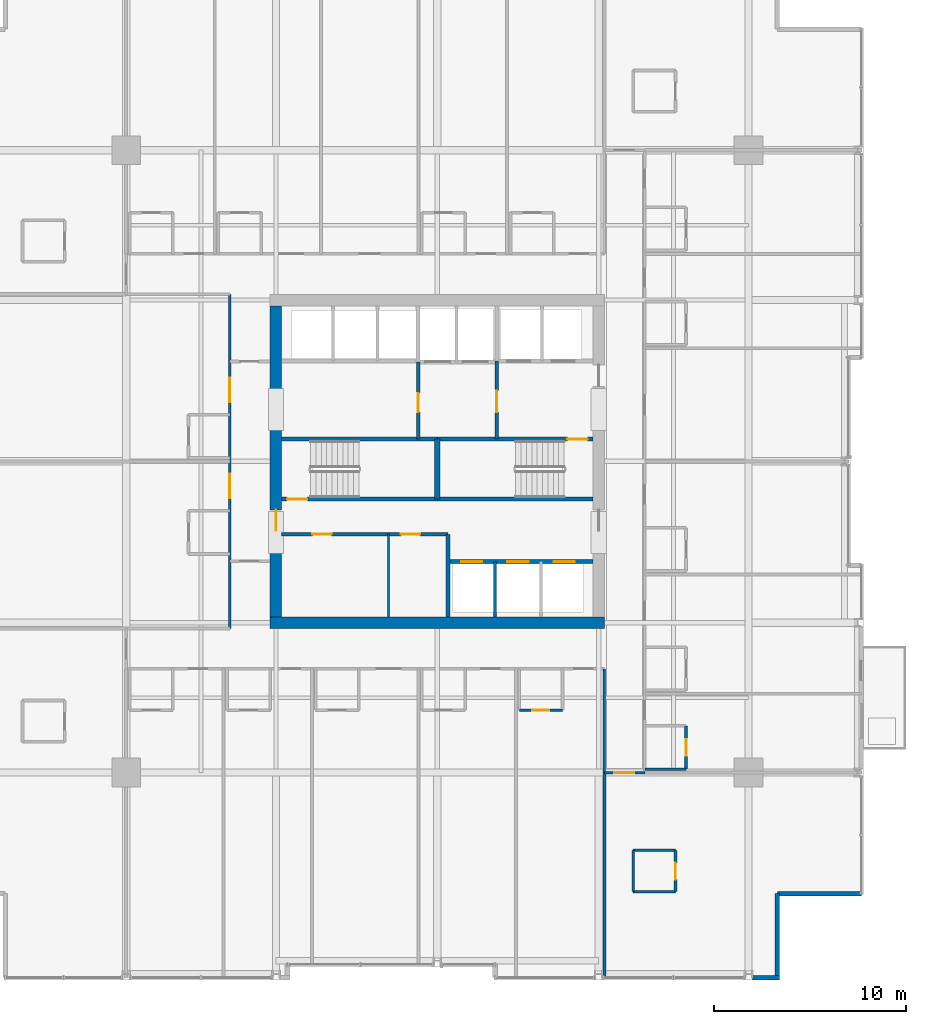
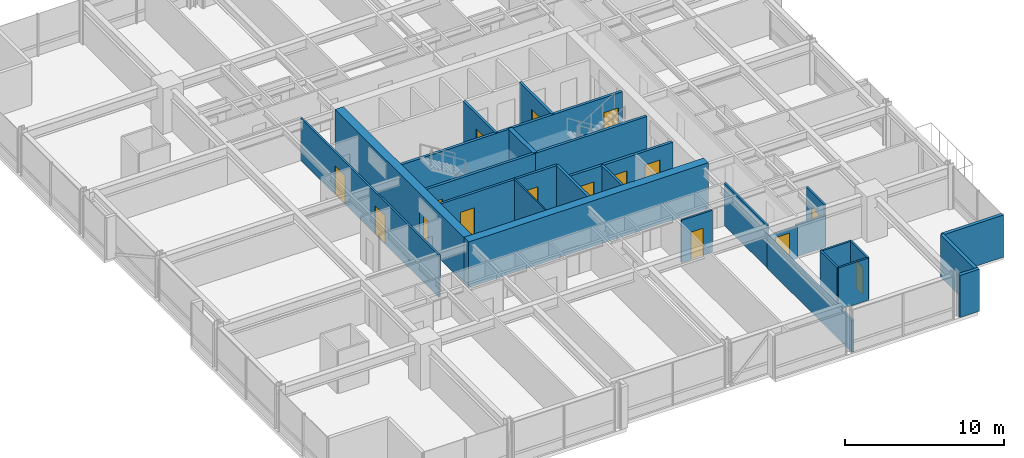
# One storey, part 29 of 35: 28 walls, 16 doors, 16 openings.
"""IFC4 building model written with IfcOpenShell, lengths in metres."""

from ifc_helpers import new_model, si_unit, direction, frame, frame_2d, origin, place, context, subcontext, project, spatial, rectangle, extrude, material, layer, layer_set, type_object, element, fill, save


model = new_model("IFC4")

# Units and contexts
model_context = context("Model", 3, precision=1e-05, world=origin(), true_north=direction((0.0, 1.0)))
body_context = subcontext(model_context, "Body", "Model", "MODEL_VIEW")
ifc_project = project(units=[si_unit("LENGTHUNIT", "METRE"), si_unit("AREAUNIT", "SQUARE_METRE"), si_unit("VOLUMEUNIT", "CUBIC_METRE"), si_unit("PLANEANGLEUNIT", "RADIAN"), si_unit("MASSUNIT", "GRAM", prefix="KILO")], contexts=[model_context])

# Site, building, storey
site_placement = place(None, origin())
site = spatial("IfcSite", under=ifc_project, at=site_placement, CompositionType="ELEMENT")
building_placement = place(site_placement, origin())
building = spatial("IfcBuilding", under=site, at=building_placement, Name="Drelvath Grand Hotel", CompositionType="ELEMENT")
storey_placement = place(building_placement, frame((0.0, 0.0, 95.300048828125)))
storey = spatial("IfcBuildingStorey", under=building, at=storey_placement, Name="L23", CompositionType="ELEMENT", Elevation=95.300048828125)

# Wall
ifc_material_1 = material(Name="Gypsum Partition Board")
ifc_layer_1 = layer(ifc_material_1, 0.10009765625)
ifc_layer_set_1 = layer_set([ifc_layer_1], Name="Gypsum Partition Board")
wall_type_1 = type_object("IfcWallType", Name="Core Closet Partition 100", PredefinedType="PARTITIONING", material=ifc_layer_set_1)
wall_1_placement = place(storey_placement, frame((-2.5400390625, 18.89990234375, 0.0), z_axis=(0.0, 0.0, 1.0), x_axis=(0.0, 1.0, 0.0)))
element("IfcWall", 1, at=wall_1_placement, inside=storey, type_object=wall_type_1, Name="L23 Reclaimed Core Split Wall", PredefinedType="PARTITIONING", context=body_context, shape_type="SweptSolid", body=[
    extrude(rectangle(XDim=4.300048828125, YDim=0.10009765625, at=frame_2d((2.14990234375, 0.0))), origin(), (0.0, 0.0, 1.0), 3.239990234375),
])

# Wall, openings, doors
ifc_material_2 = material(Name="Concrete C40/50", Category="concrete")
ifc_layer_2 = layer(ifc_material_2, 0.199951171875)
ifc_layer_set_2 = layer_set([ifc_layer_2], Name="Concrete C40/50")
wall_type_2 = type_object("IfcWallType", Name="Core Hoistway Fire Wall 200", PredefinedType="SOLIDWALL", material=ifc_layer_set_2)
wall_2_placement = place(storey_placement, frame((8.10009765625, 21.780029296875, 0.0), z_axis=(0.0, 0.0, 1.0), x_axis=(-1.0, 0.0, 0.0)))
wall_2 = element("IfcWall", 2, at=wall_2_placement, inside=storey, type_object=wall_type_2, Name="L23 Bank 2 Hoistway Wall", PredefinedType="SOLIDWALL", context=body_context, shape_type="SweptSolid", body=[
    extrude(rectangle(XDim=7.550048828125, YDim=0.199951171875, at=frame_2d((3.77490234375, 0.0))), origin(), (0.0, 0.0, 1.0), 3.239990234375),
])
opening_1_placement = place(wall_2_placement, frame((5.75, 0.0, 0.0)))
opening_1 = element("IfcOpeningElement", 3, at=opening_1_placement, cuts=wall_2, Name="Opening LD-PE-4", PredefinedType="OPENING", context=body_context, shape_type="SweptSolid", body=[
    extrude(rectangle(XDim=1.10009765625, YDim=2.199951171875, at=frame_2d((0.550048828125, 1.10009765625))), frame((0.0, 0.10986328125, 0.0), z_axis=(0.0, -1.0, 0.0), x_axis=(1.0, 0.0, 0.0)), (0.0, 0.0, 1.0), 0.219970703125),
])
opening_2_placement = place(wall_2_placement, frame((3.35009765625, 0.0, 0.0)))
opening_2 = element("IfcOpeningElement", 4, at=opening_2_placement, cuts=wall_2, Name="Opening LD-PE-5", PredefinedType="OPENING", context=body_context, shape_type="SweptSolid", body=[
    extrude(rectangle(XDim=1.10009765625, YDim=2.199951171875, at=frame_2d((0.550048828125, 1.10009765625))), frame((0.0, 0.10986328125, 0.0), z_axis=(0.0, -1.0, 0.0), x_axis=(1.0, 0.0, 0.0)), (0.0, 0.0, 1.0), 0.219970703125),
])
opening_3_placement = place(wall_2_placement, frame((0.949951171875, 0.0, 0.0)))
opening_3 = element("IfcOpeningElement", 5, at=opening_3_placement, cuts=wall_2, Name="Opening LD-PE-6", PredefinedType="OPENING", context=body_context, shape_type="SweptSolid", body=[
    extrude(rectangle(XDim=1.10009765625, YDim=2.199951171875, at=frame_2d((0.550048828125, 1.10009765625))), frame((0.0, 0.10986328125, 0.0), z_axis=(0.0, -1.0, 0.0), x_axis=(1.0, 0.0, 0.0)), (0.0, 0.0, 1.0), 0.219970703125),
])
ifc_material_3 = material(Name="Stainless Steel S355", Category="steel")
door_type_1 = type_object("IfcDoorType", Name="Passenger Lift Sliding Landing Door 1100x2200", OperationType="NOTDEFINED", PredefinedType="DOOR", material=ifc_material_3)
door_1_placement = place(opening_1_placement, origin())
door_1 = element("IfcDoor", 6, at=door_1_placement, inside=storey, type_object=door_type_1, Name="L23 Lift PE-4 Landing Door", OperationType="SLIDING_TO_LEFT", OverallHeight=2.199951171875, OverallWidth=1.10009765625, PredefinedType="DOOR", context=body_context, shape_type="SweptSolid", body=[
    extrude(rectangle(XDim=1.10009765625, YDim=2.199951171875, at=frame_2d((0.550048828125, 1.10009765625))), frame((0.0, 0.02490234375, 0.0), z_axis=(0.0, -1.0, 0.0), x_axis=(1.0, 0.0, 0.0)), (0.0, 0.0, 1.0), 0.050048828125),
])
fill(opening_1, door_1)
door_2_placement = place(opening_2_placement, origin())
door_2 = element("IfcDoor", 7, at=door_2_placement, inside=storey, type_object=door_type_1, Name="L23 Lift PE-5 Landing Door", OperationType="SLIDING_TO_LEFT", OverallHeight=2.199951171875, OverallWidth=1.10009765625, PredefinedType="DOOR", context=body_context, shape_type="SweptSolid", body=[
    extrude(rectangle(XDim=1.10009765625, YDim=2.199951171875, at=frame_2d((0.550048828125, 1.10009765625))), frame((0.0, 0.02490234375, 0.0), z_axis=(0.0, -1.0, 0.0), x_axis=(1.0, 0.0, 0.0)), (0.0, 0.0, 1.0), 0.050048828125),
])
fill(opening_2, door_2)
door_3_placement = place(opening_3_placement, origin())
door_3 = element("IfcDoor", 8, at=door_3_placement, inside=storey, type_object=door_type_1, Name="L23 Lift PE-6 Landing Door", OperationType="SLIDING_TO_LEFT", OverallHeight=2.199951171875, OverallWidth=1.10009765625, PredefinedType="DOOR", context=body_context, shape_type="SweptSolid", body=[
    extrude(rectangle(XDim=1.10009765625, YDim=2.199951171875, at=frame_2d((0.550048828125, 1.10009765625))), frame((0.0, 0.02490234375, 0.0), z_axis=(0.0, -1.0, 0.0), x_axis=(1.0, 0.0, 0.0)), (0.0, 0.0, 1.0), 0.050048828125),
])
fill(opening_3, door_3)

# Wall
wall_3_placement = place(storey_placement, frame((0.550048828125, 18.89990234375, 0.0), z_axis=(0.0, 0.0, 1.0), x_axis=(0.0, 1.0, 0.0)))
element("IfcWall", 9, at=wall_3_placement, inside=storey, type_object=wall_type_2, Name="L23 Bank 2 West Wall", PredefinedType="SOLIDWALL", context=body_context, shape_type="SweptSolid", body=[
    extrude(rectangle(XDim=4.300048828125, YDim=0.199951171875, at=frame_2d((2.14990234375, 0.0))), origin(), (0.0, 0.0, 1.0), 3.239990234375),
])

# Wall, opening, door
ifc_layer_3 = layer(ifc_material_2, 0.199951171875)
ifc_layer_set_3 = layer_set([ifc_layer_3], Name="Concrete C40/50")
wall_type_3 = type_object("IfcWallType", Name="Core Shaft Fire Wall 200", PredefinedType="SOLIDWALL", material=ifc_layer_set_3)
wall_4_placement = place(storey_placement, frame((-8.10009765625, 25.0400390625, 0.0), z_axis=(0.0, 0.0, 1.0), x_axis=(1.0, 0.0, 0.0)))
wall_4 = element("IfcWall", 10, at=wall_4_placement, inside=storey, type_object=wall_type_3, Name="L23 Stair ST-1 South Wall", PredefinedType="SOLIDWALL", context=body_context, shape_type="SweptSolid", body=[
    extrude(rectangle(XDim=8.10009765625, YDim=0.199951171875, at=frame_2d((4.050048828125, 0.0))), origin(), (0.0, 0.0, 1.0), 3.239990234375),
])
opening_4_placement = place(wall_4_placement, frame((0.280029296875, 0.0, 0.0)))
opening_4 = element("IfcOpeningElement", 11, at=opening_4_placement, cuts=wall_4, Name="Opening D-T2G1-001", PredefinedType="OPENING", context=body_context, shape_type="SweptSolid", body=[
    extrude(rectangle(XDim=1.050048828125, YDim=2.10009765625, at=frame_2d((0.52490234375, 1.050048828125))), frame((0.0, 0.10986328125, 0.0), z_axis=(0.0, -1.0, 0.0), x_axis=(1.0, 0.0, 0.0)), (0.0, 0.0, 1.0), 0.219970703125),
])
ifc_material_4 = material(Name="Painted Steel S275", Category="steel")
door_type_2 = type_object("IfcDoorType", Name="Tower Stairwell Fire Door 1050x2100", OperationType="NOTDEFINED", PredefinedType="DOOR", material=ifc_material_4)
door_4_placement = place(opening_4_placement, origin())
door_4 = element("IfcDoor", 12, at=door_4_placement, inside=storey, type_object=door_type_2, Name="L23 Exit Stair ST-1 Door", OperationType="SINGLE_SWING_LEFT", OverallHeight=2.10009765625, OverallWidth=1.050048828125, PredefinedType="DOOR", context=body_context, shape_type="SweptSolid", body=[
    extrude(rectangle(XDim=1.050048828125, YDim=2.10009765625, at=frame_2d((0.52490234375, 1.050048828125))), frame((0.0, 0.02490234375, 0.0), z_axis=(0.0, -1.0, 0.0), x_axis=(1.0, 0.0, 0.0)), (0.0, 0.0, 1.0), 0.050048828125),
])
fill(opening_4, door_4)

# Walls
for number, where, z_axis, x_axis, name in (
    (13, (-8.10009765625, 28.159912109375, 0.0), (0.0, 0.0, 1.0), (1.0, 0.0, 0.0), "L23 Stair ST-1 North Wall"),
    (14, (0.0, 25.0400390625, 0.0), (0.0, 0.0, 1.0), (1.0, 0.0, 0.0), "L23 Stair ST-2 South Wall"),
):
    element("IfcWall", number, at=place(storey_placement, frame(where, z_axis=z_axis, x_axis=x_axis)), inside=storey, type_object=wall_type_3, Name=name, PredefinedType="SOLIDWALL", context=body_context, shape_type="SweptSolid", body=[
        extrude(rectangle(XDim=8.10009765625, YDim=0.199951171875, at=frame_2d((4.050048828125, 0.0))), origin(), (0.0, 0.0, 1.0), 3.239990234375),
    ])

# Wall, opening, door
wall_5_placement = place(storey_placement, frame((8.10009765625, 28.159912109375, 0.0), z_axis=(0.0, 0.0, 1.0), x_axis=(-1.0, 0.0, 0.0)))
wall_5 = element("IfcWall", 15, at=wall_5_placement, inside=storey, type_object=wall_type_3, Name="L23 Stair ST-2 North Wall", PredefinedType="SOLIDWALL", context=body_context, shape_type="SweptSolid", body=[
    extrude(rectangle(XDim=8.10009765625, YDim=0.199951171875, at=frame_2d((4.050048828125, 0.0))), origin(), (0.0, 0.0, 1.0), 3.239990234375),
])
opening_5_placement = place(wall_5_placement, frame((0.280029296875, 0.0, 0.0)))
opening_5 = element("IfcOpeningElement", 16, at=opening_5_placement, cuts=wall_5, Name="Opening D-T2G1-002", PredefinedType="OPENING", context=body_context, shape_type="SweptSolid", body=[
    extrude(rectangle(XDim=1.050048828125, YDim=2.10009765625, at=frame_2d((0.52490234375, 1.050048828125))), frame((0.0, 0.10986328125, 0.0), z_axis=(0.0, -1.0, 0.0), x_axis=(1.0, 0.0, 0.0)), (0.0, 0.0, 1.0), 0.219970703125),
])
door_5_placement = place(opening_5_placement, origin())
door_5 = element("IfcDoor", 17, at=door_5_placement, inside=storey, type_object=door_type_2, Name="L23 Exit Stair ST-2 Door", OperationType="SINGLE_SWING_LEFT", OverallHeight=2.10009765625, OverallWidth=1.050048828125, PredefinedType="DOOR", context=body_context, shape_type="SweptSolid", body=[
    extrude(rectangle(XDim=1.050048828125, YDim=2.10009765625, at=frame_2d((0.52490234375, 1.050048828125))), frame((0.0, 0.02490234375, 0.0), z_axis=(0.0, -1.0, 0.0), x_axis=(1.0, 0.0, 0.0)), (0.0, 0.0, 1.0), 0.050048828125),
])
fill(opening_5, door_5)

# Walls
ifc_layer_4 = layer(ifc_material_2, 0.300048828125)
ifc_layer_set_4 = layer_set([ifc_layer_4], Name="Concrete C40/50")
wall_type_4 = type_object("IfcWallType", Name="Core Shaft Fire Wall 300", PredefinedType="SOLIDWALL", material=ifc_layer_set_4)
wall_6_placement = place(storey_placement, frame((0.0, 25.0400390625, 0.0), z_axis=(0.0, 0.0, 1.0), x_axis=(0.0, 1.0, 0.0)))
element("IfcWall", 18, at=wall_6_placement, inside=storey, type_object=wall_type_4, Name="L23 Core Stair Divider Wall", PredefinedType="SOLIDWALL", context=body_context, shape_type="SweptSolid", body=[
    extrude(rectangle(XDim=3.119873046875, YDim=0.300048828125, at=frame_2d((1.56005859375, 0.0))), origin(), (0.0, 0.0, 1.0), 3.239990234375),
])
ifc_material_5 = material(Name="Gypsum Fireboard Partition")
ifc_layer_5 = layer(ifc_material_5, 0.1650390625)
ifc_layer_set_5 = layer_set([ifc_layer_5], Name="Gypsum Fireboard Partition")
wall_type_5 = type_object("IfcWallType", Name="Core Shaft Partition 165", PredefinedType="PARTITIONING", material=ifc_layer_set_5)
wall_7_placement = place(storey_placement, frame((3.0, 18.89990234375, 0.0), z_axis=(0.0, 0.0, 1.0), x_axis=(0.0, 1.0, 0.0)))
element("IfcWall", 19, at=wall_7_placement, inside=storey, type_object=wall_type_5, Name="L23 Lift PE-4/5 Divider", PredefinedType="PARTITIONING", context=body_context, shape_type="SweptSolid", body=[
    extrude(rectangle(XDim=2.880126953125, YDim=0.1650390625, at=frame_2d((1.43994140625, 0.0))), origin(), (0.0, 0.0, 1.0), 3.239990234375),
])
ifc_layer_6 = layer(ifc_material_5, 0.135009765625)
ifc_layer_set_6 = layer_set([ifc_layer_6], Name="Gypsum Fireboard Partition")
wall_type_6 = type_object("IfcWallType", Name="Corridor Fire Barrier Wall 135", PredefinedType="PARTITIONING", material=ifc_layer_set_6)
wall_8_placement = place(storey_placement, frame((8.699951171875, 10.800048828125, 0.0), z_axis=(0.0, 0.0, 1.0), x_axis=(0.0, 1.0, 0.0)))
element("IfcWall", 20, at=wall_8_placement, inside=storey, type_object=wall_type_6, Name="L23 East Spine South Inner Wall", PredefinedType="PARTITIONING", context=body_context, shape_type="SweptSolid", body=[
    extrude(rectangle(XDim=5.39990234375, YDim=0.135009765625, at=frame_2d((2.699951171875, 0.0))), origin(), (0.0, 0.0, 1.0), 3.239990234375),
])

# Wall, openings, doors
wall_9_placement = place(storey_placement, frame((-10.800048828125, 18.300048828125, 0.0), z_axis=(0.0, 0.0, 1.0), x_axis=(0.0, 1.0, 0.0)))
wall_9 = element("IfcWall", 21, at=wall_9_placement, inside=storey, type_object=wall_type_6, Name="L23 West Spine Wall", PredefinedType="PARTITIONING", context=body_context, shape_type="SweptSolid", body=[
    extrude(rectangle(XDim=17.39990234375, YDim=0.135009765625, at=frame_2d((8.699951171875, 0.0))), origin(), (0.0, 0.0, 1.0), 3.239990234375),
])
opening_6_placement = place(wall_9_placement, frame((6.784912109375, 0.0, 0.0)))
opening_6 = element("IfcOpeningElement", 22, at=opening_6_placement, cuts=wall_9, Name="Opening D-T2G1-058", PredefinedType="OPENING", context=body_context, shape_type="SweptSolid", body=[
    extrude(rectangle(XDim=1.260009765625, YDim=2.199951171875, at=frame_2d((0.6298828125, 1.10009765625))), frame((0.0, 0.077392578125, 0.0), z_axis=(0.0, -1.0, 0.0), x_axis=(1.0, 0.0, 0.0)), (0.0, 0.0, 1.0), 0.155029296875),
])
opening_7_placement = place(wall_9_placement, frame((11.784912109375, 0.0, 0.0)))
opening_7 = element("IfcOpeningElement", 23, at=opening_7_placement, cuts=wall_9, Name="Opening D-T2G1-060", PredefinedType="OPENING", context=body_context, shape_type="SweptSolid", body=[
    extrude(rectangle(XDim=1.260009765625, YDim=2.199951171875, at=frame_2d((0.6298828125, 1.10009765625))), frame((0.0, 0.077392578125, 0.0), z_axis=(0.0, -1.0, 0.0), x_axis=(1.0, 0.0, 0.0)), (0.0, 0.0, 1.0), 0.155029296875),
])
ifc_material_6 = material(Name="Hardwood Walnut Timber", Category="wood")
door_type_3 = type_object("IfcDoorType", Name="Suite Entrance Fire Door 1260x2200", OperationType="NOTDEFINED", PredefinedType="DOOR", material=ifc_material_6)
door_6_placement = place(opening_6_placement, origin())
door_6 = element("IfcDoor", 24, at=door_6_placement, inside=storey, type_object=door_type_3, Name="L23 Corner Suite Entry Door", OperationType="SINGLE_SWING_LEFT", OverallHeight=2.199951171875, OverallWidth=1.260009765625, PredefinedType="DOOR", context=body_context, shape_type="SweptSolid", body=[
    extrude(rectangle(XDim=1.260009765625, YDim=2.199951171875, at=frame_2d((0.6298828125, 1.10009765625))), frame((0.0, 0.02490234375, 0.0), z_axis=(0.0, -1.0, 0.0), x_axis=(1.0, 0.0, 0.0)), (0.0, 0.0, 1.0), 0.050048828125),
])
fill(opening_6, door_6)
door_7_placement = place(opening_7_placement, origin())
door_7 = element("IfcDoor", 25, at=door_7_placement, inside=storey, type_object=door_type_3, Name="L23 Corner Suite Entry Door", OperationType="SINGLE_SWING_LEFT", OverallHeight=2.199951171875, OverallWidth=1.260009765625, PredefinedType="DOOR", context=body_context, shape_type="SweptSolid", body=[
    extrude(rectangle(XDim=1.260009765625, YDim=2.199951171875, at=frame_2d((0.6298828125, 1.10009765625))), frame((0.0, 0.02490234375, 0.0), z_axis=(0.0, -1.0, 0.0), x_axis=(1.0, 0.0, 0.0)), (0.0, 0.0, 1.0), 0.050048828125),
])
fill(opening_7, door_7)

# Wall, opening, door
wall_10_placement = place(storey_placement, frame((8.699951171875, 10.800048828125, 0.0), z_axis=(0.0, 0.0, 1.0), x_axis=(1.0, 0.0, 0.0)))
wall_10 = element("IfcWall", 26, at=wall_10_placement, inside=storey, type_object=wall_type_6, Name="L23 East Spine South End", PredefinedType="PARTITIONING", context=body_context, shape_type="SweptSolid", body=[
    extrude(rectangle(XDim=2.10009765625, YDim=0.135009765625, at=frame_2d((1.050048828125, 0.0))), origin(), (0.0, 0.0, 1.0), 2.45166015625),
])
opening_8_placement = place(wall_10_placement, frame((0.52001953125, 0.0, 0.0)))
opening_8 = element("IfcOpeningElement", 27, at=opening_8_placement, cuts=wall_10, Name="Opening D-T2G1-024", PredefinedType="OPENING", context=body_context, shape_type="SweptSolid", body=[
    extrude(rectangle(XDim=1.02001953125, YDim=2.14990234375, at=frame_2d((0.510009765625, 1.074951171875))), frame((0.0, 0.077392578125, 0.0), z_axis=(0.0, -1.0, 0.0), x_axis=(1.0, 0.0, 0.0)), (0.0, 0.0, 1.0), 0.155029296875),
])
door_type_4 = type_object("IfcDoorType", Name="Amenity Meeting Fire Door 1020x2150", OperationType="NOTDEFINED", PredefinedType="DOOR", material=ifc_material_6)
door_8_placement = place(opening_8_placement, origin())
door_8 = element("IfcDoor", 28, at=door_8_placement, inside=storey, type_object=door_type_4, Name="L23 Corner Suite Entry Door", OperationType="SINGLE_SWING_LEFT", OverallHeight=2.14990234375, OverallWidth=1.02001953125, PredefinedType="DOOR", context=body_context, shape_type="SweptSolid", body=[
    extrude(rectangle(XDim=1.02001953125, YDim=2.14990234375, at=frame_2d((0.510009765625, 1.074951171875))), frame((0.0, 0.02490234375, 0.0), z_axis=(0.0, -1.0, 0.0), x_axis=(1.0, 0.0, 0.0)), (0.0, 0.0, 1.0), 0.050048828125),
])
fill(opening_8, door_8)

# Walls
ifc_material_7 = material(Name="Moisture-Resistant Gypsum Board")
ifc_layer_7 = layer(ifc_material_7, 0.139892578125)
ifc_layer_set_7 = layer_set([ifc_layer_7], Name="Moisture-Resistant Gypsum Board")
wall_type_7 = type_object("IfcWallType", Name="En-Suite Plumbing Wall 140", PredefinedType="PLUMBINGWALL", material=ifc_layer_set_7)
for number, where, z_axis, x_axis, name in (
    (29, (10.199951171875, 4.60009765625, 0.0), (0.0, 0.0, 1.0), (1.0, 0.0, 0.0), "L23 Corner En-Suite South"),
    (30, (10.199951171875, 6.75, 0.0), (0.0, 0.0, 1.0), (1.0, 0.0, 0.0), "L23 Corner En-Suite North"),
):
    element("IfcWall", number, at=place(storey_placement, frame(where, z_axis=z_axis, x_axis=x_axis)), inside=storey, type_object=wall_type_7, Name=name, PredefinedType="PLUMBINGWALL", context=body_context, shape_type="SweptSolid", body=[
        extrude(rectangle(XDim=2.199951171875, YDim=0.139892578125, at=frame_2d((1.10009765625, 0.0))), origin(), (0.0, 0.0, 1.0), 3.239990234375),
    ])
wall_11_placement = place(storey_placement, frame((10.199951171875, 4.60009765625, 0.0), z_axis=(0.0, 0.0, 1.0), x_axis=(0.0, 1.0, 0.0)))
element("IfcWall", 31, at=wall_11_placement, inside=storey, type_object=wall_type_7, Name="L23 Corner En-Suite West", PredefinedType="PLUMBINGWALL", context=body_context, shape_type="SweptSolid", body=[
    extrude(rectangle(XDim=2.14990234375, YDim=0.139892578125, at=frame_2d((1.074951171875, 0.0))), origin(), (0.0, 0.0, 1.0), 3.239990234375),
])

# Wall, opening, door
wall_12_placement = place(storey_placement, frame((12.39990234375, 4.60009765625, 0.0), z_axis=(0.0, 0.0, 1.0), x_axis=(0.0, 1.0, 0.0)))
wall_12 = element("IfcWall", 32, at=wall_12_placement, inside=storey, type_object=wall_type_7, Name="L23 Corner En-Suite East", PredefinedType="PLUMBINGWALL", context=body_context, shape_type="SweptSolid", body=[
    extrude(rectangle(XDim=2.14990234375, YDim=0.139892578125, at=frame_2d((1.074951171875, 0.0))), origin(), (0.0, 0.0, 1.0), 3.239990234375),
])
opening_9_placement = place(wall_12_placement, frame((0.6201171875, 0.0, 0.0)))
opening_9 = element("IfcOpeningElement", 33, at=opening_9_placement, cuts=wall_12, Name="Opening D-T2G1-023", PredefinedType="OPENING", context=body_context, shape_type="SweptSolid", body=[
    extrude(rectangle(XDim=0.8798828125, YDim=2.10009765625, at=frame_2d((0.43994140625, 1.050048828125))), frame((0.0, 0.079833984375, 0.0), z_axis=(0.0, -1.0, 0.0), x_axis=(1.0, 0.0, 0.0)), (0.0, 0.0, 1.0), 0.159912109375),
])
door_type_5 = type_object("IfcDoorType", Name="En-Suite Bathroom Door 880x2100", OperationType="NOTDEFINED", PredefinedType="DOOR", material=ifc_material_6)
door_9_placement = place(opening_9_placement, origin())
door_9 = element("IfcDoor", 34, at=door_9_placement, inside=storey, type_object=door_type_5, Name="L23 Corner En-Suite Door", OperationType="SINGLE_SWING_RIGHT", OverallHeight=2.10009765625, OverallWidth=0.8798828125, PredefinedType="DOOR", context=body_context, shape_type="SweptSolid", body=[
    extrude(rectangle(XDim=0.8798828125, YDim=2.10009765625, at=frame_2d((0.43994140625, 1.050048828125))), frame((0.0, 0.02490234375, 0.0), z_axis=(0.0, -1.0, 0.0), x_axis=(1.0, 0.0, 0.0)), (0.0, 0.0, 1.0), 0.050048828125),
])
fill(opening_9, door_9)

wall_13_placement = place(storey_placement, frame((4.268798828125, 14.050048828125, 0.0), z_axis=(0.0, 0.0, 1.0), x_axis=(1.0, 0.0, 0.0)))
wall_13 = element("IfcWall", 35, at=wall_13_placement, inside=storey, type_object=wall_type_7, Name="L23 En-Suite Front Wall", PredefinedType="PLUMBINGWALL", context=body_context, shape_type="SweptSolid", body=[
    extrude(rectangle(XDim=2.25, YDim=0.139892578125, at=frame_2d((1.125, 0.0))), origin(), (0.0, 0.0, 1.0), 3.239990234375),
])
opening_10_placement = place(wall_13_placement, frame((0.68505859375, 0.0, 0.0)))
opening_10 = element("IfcOpeningElement", 36, at=opening_10_placement, cuts=wall_13, Name="Opening D-T2G1-035", PredefinedType="OPENING", context=body_context, shape_type="SweptSolid", body=[
    extrude(rectangle(XDim=0.8798828125, YDim=2.10009765625, at=frame_2d((0.43994140625, 1.050048828125))), frame((0.0, 0.079833984375, 0.0), z_axis=(0.0, -1.0, 0.0), x_axis=(1.0, 0.0, 0.0)), (0.0, 0.0, 1.0), 0.159912109375),
])
door_10_placement = place(opening_10_placement, origin())
door_10 = element("IfcDoor", 37, at=door_10_placement, inside=storey, type_object=door_type_5, Name="L23 En-Suite Bathroom Door", OperationType="SINGLE_SWING_RIGHT", OverallHeight=2.10009765625, OverallWidth=0.8798828125, PredefinedType="DOOR", context=body_context, shape_type="SweptSolid", body=[
    extrude(rectangle(XDim=0.8798828125, YDim=2.10009765625, at=frame_2d((0.43994140625, 1.050048828125))), frame((0.0, 0.02490234375, 0.0), z_axis=(0.0, -1.0, 0.0), x_axis=(1.0, 0.0, 0.0)), (0.0, 0.0, 1.0), 0.050048828125),
])
fill(opening_10, door_10)

# Wall
wall_14_placement = place(storey_placement, frame((10.800048828125, 10.97998046875, 0.0), z_axis=(0.0, 0.0, 1.0), x_axis=(1.0, 0.0, 0.0)))
element("IfcWall", 38, at=wall_14_placement, inside=storey, type_object=wall_type_7, Name="L23 En-Suite Left Wall", PredefinedType="PLUMBINGWALL", context=body_context, shape_type="SweptSolid", body=[
    extrude(rectangle(XDim=2.14990234375, YDim=0.139892578125, at=frame_2d((1.074951171875, 0.0))), origin(), (0.0, 0.0, 1.0), 2.45166015625),
])

# Wall, opening, door
wall_15_placement = place(storey_placement, frame((12.949951171875, 10.97998046875, 0.0), z_axis=(0.0, 0.0, 1.0), x_axis=(0.0, 1.0, 0.0)))
wall_15 = element("IfcWall", 39, at=wall_15_placement, inside=storey, type_object=wall_type_7, Name="L23 En-Suite Front Wall", PredefinedType="PLUMBINGWALL", context=body_context, shape_type="SweptSolid", body=[
    extrude(rectangle(XDim=2.25, YDim=0.139892578125, at=frame_2d((1.125, 0.0))), origin(), (0.0, 0.0, 1.0), 3.239990234375),
])
opening_11_placement = place(wall_15_placement, frame((0.68505859375, 0.0, 0.0)))
opening_11 = element("IfcOpeningElement", 40, at=opening_11_placement, cuts=wall_15, Name="Opening D-T2G1-046", PredefinedType="OPENING", context=body_context, shape_type="SweptSolid", body=[
    extrude(rectangle(XDim=0.8798828125, YDim=2.10009765625, at=frame_2d((0.43994140625, 1.050048828125))), frame((0.0, 0.079833984375, 0.0), z_axis=(0.0, -1.0, 0.0), x_axis=(1.0, 0.0, 0.0)), (0.0, 0.0, 1.0), 0.159912109375),
])
door_11_placement = place(opening_11_placement, origin())
door_11 = element("IfcDoor", 41, at=door_11_placement, inside=storey, type_object=door_type_5, Name="L23 En-Suite Bathroom Door", OperationType="SINGLE_SWING_LEFT", OverallHeight=2.10009765625, OverallWidth=0.8798828125, PredefinedType="DOOR", context=body_context, shape_type="SweptSolid", body=[
    extrude(rectangle(XDim=0.8798828125, YDim=2.10009765625, at=frame_2d((0.43994140625, 1.050048828125))), frame((0.0, 0.02490234375, 0.0), z_axis=(0.0, -1.0, 0.0), x_axis=(1.0, 0.0, 0.0)), (0.0, 0.0, 1.0), 0.050048828125),
])
fill(opening_11, door_11)

ifc_layer_8 = layer(ifc_material_5, 0.179931640625)
ifc_layer_set_8 = layer_set([ifc_layer_8], Name="Gypsum Fireboard Partition")
wall_type_8 = type_object("IfcWallType", Name="FSAE Smoke Lobby Fire Wall 180", PredefinedType="SOLIDWALL", material=ifc_layer_set_8)
wall_16_placement = place(storey_placement, frame((3.10009765625, 28.159912109375, 0.0), z_axis=(0.0, 0.0, 1.0), x_axis=(0.0, 1.0, 0.0)))
wall_16 = element("IfcWall", 42, at=wall_16_placement, inside=storey, type_object=wall_type_8, Name="L23 FSAE Smoke Lobby West Wall", PredefinedType="SOLIDWALL", context=body_context, shape_type="SweptSolid", body=[
    extrude(rectangle(XDim=4.06005859375, YDim=0.179931640625, at=frame_2d((2.030029296875, 0.0))), origin(), (0.0, 0.0, 1.0), 3.239990234375),
])
opening_12_placement = place(wall_16_placement, frame((1.39990234375, 0.0, 0.0)))
opening_12 = element("IfcOpeningElement", 43, at=opening_12_placement, cuts=wall_16, Name="Opening D-T2G1-005", PredefinedType="OPENING", context=body_context, shape_type="SweptSolid", body=[
    extrude(rectangle(XDim=1.1201171875, YDim=2.10009765625, at=frame_2d((0.56005859375, 1.050048828125))), frame((0.0, 0.099853515625, 0.0), z_axis=(0.0, -1.0, 0.0), x_axis=(1.0, 0.0, 0.0)), (0.0, 0.0, 1.0), 0.199951171875),
])
door_type_6 = type_object("IfcDoorType", Name="FSAE Smoke Lobby Fire Door 1120x2100", OperationType="NOTDEFINED", PredefinedType="DOOR", material=ifc_material_4)
door_12_placement = place(opening_12_placement, origin())
door_12 = element("IfcDoor", 44, at=door_12_placement, inside=storey, type_object=door_type_6, Name="L23 FSAE Lobby Service Vestibule Door", OperationType="SINGLE_SWING_RIGHT", OverallHeight=2.10009765625, OverallWidth=1.1201171875, PredefinedType="DOOR", context=body_context, shape_type="SweptSolid", body=[
    extrude(rectangle(XDim=1.1201171875, YDim=2.10009765625, at=frame_2d((0.56005859375, 1.050048828125))), frame((0.0, 0.02490234375, 0.0), z_axis=(0.0, -1.0, 0.0), x_axis=(1.0, 0.0, 0.0)), (0.0, 0.0, 1.0), 0.050048828125),
])
fill(opening_12, door_12)

wall_17_placement = place(storey_placement, frame((-1.0, 28.159912109375, 0.0), z_axis=(0.0, 0.0, 1.0), x_axis=(0.0, 1.0, 0.0)))
wall_17 = element("IfcWall", 45, at=wall_17_placement, inside=storey, type_object=wall_type_8, Name="L23 Service Vestibule West Wall", PredefinedType="SOLIDWALL", context=body_context, shape_type="SweptSolid", body=[
    extrude(rectangle(XDim=4.02001953125, YDim=0.179931640625, at=frame_2d((2.010009765625, 0.0))), origin(), (0.0, 0.0, 1.0), 3.239990234375),
])
opening_13_placement = place(wall_17_placement, frame((1.39990234375, 0.0, 0.0)))
opening_13 = element("IfcOpeningElement", 46, at=opening_13_placement, cuts=wall_17, Name="Opening D-T2G1-009", PredefinedType="OPENING", context=body_context, shape_type="SweptSolid", body=[
    extrude(rectangle(XDim=1.0, YDim=2.10009765625, at=frame_2d((0.5, 1.050048828125))), frame((0.0, 0.099853515625, 0.0), z_axis=(0.0, -1.0, 0.0), x_axis=(1.0, 0.0, 0.0)), (0.0, 0.0, 1.0), 0.199951171875),
])
door_type_7 = type_object("IfcDoorType", Name="Core Service Fire Door 1000x2100", OperationType="NOTDEFINED", PredefinedType="DOOR", material=ifc_material_4)
door_13_placement = place(opening_13_placement, origin())
door_13 = element("IfcDoor", 47, at=door_13_placement, inside=storey, type_object=door_type_7, Name="L23 Service Vestibule West Door", OperationType="SINGLE_SWING_LEFT", OverallHeight=2.10009765625, OverallWidth=1.0, PredefinedType="DOOR", context=body_context, shape_type="SweptSolid", body=[
    extrude(rectangle(XDim=1.0, YDim=2.10009765625, at=frame_2d((0.5, 1.050048828125))), frame((0.0, 0.02490234375, 0.0), z_axis=(0.0, -1.0, 0.0), x_axis=(1.0, 0.0, 0.0)), (0.0, 0.0, 1.0), 0.050048828125),
])
fill(opening_13, door_13)

# Wall, openings, doors
wall_18_placement = place(storey_placement, frame((-8.10009765625, 23.199951171875, 0.0), z_axis=(0.0, 0.0, 1.0), x_axis=(1.0, 0.0, 0.0)))
wall_18 = element("IfcWall", 48, at=wall_18_placement, inside=storey, type_object=wall_type_8, Name="L23 Reclaimed Core Room Wall", PredefinedType="SOLIDWALL", context=body_context, shape_type="SweptSolid", body=[
    extrude(rectangle(XDim=8.650146484375, YDim=0.179931640625, at=frame_2d((4.3251953125, 0.0))), origin(), (0.0, 0.0, 1.0), 3.239990234375),
])
opening_14_placement = place(wall_18_placement, frame((1.60009765625, 0.0, 0.0)))
opening_14 = element("IfcOpeningElement", 49, at=opening_14_placement, cuts=wall_18, Name="Opening D-T2G1-015", PredefinedType="OPENING", context=body_context, shape_type="SweptSolid", body=[
    extrude(rectangle(XDim=1.0, YDim=2.10009765625, at=frame_2d((0.5, 1.050048828125))), frame((0.0, 0.099853515625, 0.0), z_axis=(0.0, -1.0, 0.0), x_axis=(1.0, 0.0, 0.0)), (0.0, 0.0, 1.0), 0.199951171875),
])
opening_15_placement = place(wall_18_placement, frame((6.199951171875, 0.0, 0.0)))
opening_15 = element("IfcOpeningElement", 50, at=opening_15_placement, cuts=wall_18, Name="Opening D-T2G1-016", PredefinedType="OPENING", context=body_context, shape_type="SweptSolid", body=[
    extrude(rectangle(XDim=1.0, YDim=2.10009765625, at=frame_2d((0.5, 1.050048828125))), frame((0.0, 0.099853515625, 0.0), z_axis=(0.0, -1.0, 0.0), x_axis=(1.0, 0.0, 0.0)), (0.0, 0.0, 1.0), 0.199951171875),
])
door_14_placement = place(opening_14_placement, origin())
door_14 = element("IfcDoor", 51, at=door_14_placement, inside=storey, type_object=door_type_7, Name="L23 Housekeeping Door", OperationType="SINGLE_SWING_RIGHT", OverallHeight=2.10009765625, OverallWidth=1.0, PredefinedType="DOOR", context=body_context, shape_type="SweptSolid", body=[
    extrude(rectangle(XDim=1.0, YDim=2.10009765625, at=frame_2d((0.5, 1.050048828125))), frame((0.0, 0.02490234375, 0.0), z_axis=(0.0, -1.0, 0.0), x_axis=(1.0, 0.0, 0.0)), (0.0, 0.0, 1.0), 0.050048828125),
])
fill(opening_14, door_14)
door_15_placement = place(opening_15_placement, origin())
door_15 = element("IfcDoor", 52, at=door_15_placement, inside=storey, type_object=door_type_7, Name="L23 Butler Pantry Door", OperationType="SINGLE_SWING_LEFT", OverallHeight=2.10009765625, OverallWidth=1.0, PredefinedType="DOOR", context=body_context, shape_type="SweptSolid", body=[
    extrude(rectangle(XDim=1.0, YDim=2.10009765625, at=frame_2d((0.5, 1.050048828125))), frame((0.0, 0.02490234375, 0.0), z_axis=(0.0, -1.0, 0.0), x_axis=(1.0, 0.0, 0.0)), (0.0, 0.0, 1.0), 0.050048828125),
])
fill(opening_15, door_15)

# Wall
ifc_material_8 = material(Name="Concrete f'c 70 MPa", Category="concrete")
ifc_layer_9 = layer(ifc_material_8, 0.60009765625)
ifc_layer_set_9 = layer_set([ifc_layer_9], Name="Concrete f'c 70 MPa")
wall_type_9 = type_object("IfcWallType", Name="Lower Core RC Shear Wall 600", PredefinedType="SHEAR", material=ifc_layer_set_9)
wall_19_placement = place(storey_placement, frame((8.699951171875, 18.60009765625, 0.0), z_axis=(0.0, 0.0, 1.0), x_axis=(-1.0, 0.0, 0.0)))
element("IfcWall", 53, at=wall_19_placement, inside=storey, type_object=wall_type_9, Name="L23 Central Core Shear Wall S", PredefinedType="SHEAR", context=body_context, shape_type="SweptSolid", body=[
    extrude(rectangle(XDim=17.39990234375, YDim=0.60009765625, at=frame_2d((8.699951171875, 0.0))), origin(), (0.0, 0.0, 1.0), 3.5),
])

# Wall, opening, door
wall_20_placement = place(storey_placement, frame((-8.39990234375, 18.89990234375, 0.0), z_axis=(0.0, 0.0, 1.0), x_axis=(0.0, 1.0, 0.0)))
wall_20 = element("IfcWall", 54, at=wall_20_placement, inside=storey, type_object=wall_type_9, Name="L23 Central Core Shear Wall W", PredefinedType="SHEAR", context=body_context, shape_type="SweptSolid", body=[
    extrude(rectangle(XDim=16.2001953125, YDim=0.60009765625, at=frame_2d((8.10009765625, 0.0))), origin(), (0.0, 0.0, 1.0), 3.5),
])
opening_16_placement = place(wall_20_placement, frame((4.5, 0.0, 0.0)))
opening_16 = element("IfcOpeningElement", 55, at=opening_16_placement, cuts=wall_20, Name="Opening D-T2G1-013", PredefinedType="OPENING", context=body_context, shape_type="SweptSolid", body=[
    extrude(rectangle(XDim=1.080078125, YDim=2.0400390625, at=frame_2d((0.5400390625, 1.02001953125))), frame((0.0, 0.31005859375, 0.0), z_axis=(0.0, -1.0, 0.0), x_axis=(1.0, 0.0, 0.0)), (0.0, 0.0, 1.0), 0.6201171875),
])
door_type_8 = type_object("IfcDoorType", Name="Core Corridor Fire Door 1080x2100", OperationType="NOTDEFINED", PredefinedType="DOOR", material=ifc_material_4)
door_16_placement = place(opening_16_placement, origin())
door_16 = element("IfcDoor", 56, at=door_16_placement, inside=storey, type_object=door_type_8, Name="L23 Mid-Rise Lobby West Door", OperationType="SINGLE_SWING_RIGHT", OverallHeight=2.0400390625, OverallWidth=1.080078125, PredefinedType="DOOR", context=body_context, shape_type="SweptSolid", body=[
    extrude(rectangle(XDim=1.080078125, YDim=2.0400390625, at=frame_2d((0.5400390625, 1.02001953125))), frame((0.0, 0.02490234375, 0.0), z_axis=(0.0, -1.0, 0.0), x_axis=(1.0, 0.0, 0.0)), (0.0, 0.0, 1.0), 0.050048828125),
])
fill(opening_16, door_16)

# Walls
ifc_material_9 = material(Name="Gypsum Acoustic Partition")
ifc_layer_10 = layer(ifc_material_9, 0.1650390625)
ifc_layer_set_10 = layer_set([ifc_layer_10], Name="Gypsum Acoustic Partition")
wall_type_10 = type_object("IfcWallType", Name="Suite Demising Wall 165", PredefinedType="PARTITIONING", material=ifc_layer_set_10)
wall_21_placement = place(storey_placement, frame((8.699951171875, 0.1201171875, 0.0), z_axis=(0.0, 0.0, 1.0), x_axis=(0.0, 1.0, 0.0)))
element("IfcWall", 57, at=wall_21_placement, inside=storey, type_object=wall_type_10, Name="L23 SE Suite West Wall", PredefinedType="PARTITIONING", context=body_context, shape_type="SweptSolid", body=[
    extrude(rectangle(XDim=10.679931640625, YDim=0.1650390625, at=frame_2d((5.33984375, 0.0))), origin(), (0.0, 0.0, 1.0), 2.45166015625),
])
ifc_material_10 = material(Name="Pale-Metal Insulated Aluminium Spandrel Assembly", Category="aluminium")
ifc_layer_11 = layer(ifc_material_10, 0.239990234375)
ifc_layer_set_11 = layer_set([ifc_layer_11], Name="Pale-Metal Insulated Aluminium Spandrel Assembly")
wall_type_11 = type_object("IfcWallType", Name="Tower Insulated Metal Spandrel Closure Wall 240", PredefinedType="STANDARD", material=ifc_layer_set_11)
wall_22_placement = place(storey_placement, frame((17.820068359375, 0.1201171875, 0.0), z_axis=(0.0, 0.0, 1.0), x_axis=(-1.0, 0.0, 0.0)))
element("IfcWall", 58, at=wall_22_placement, inside=storey, type_object=wall_type_11, Name="L23 Corner Pier Spandrel Wall SE3", PredefinedType="STANDARD", context=body_context, shape_type="SweptSolid", body=[
    extrude(rectangle(XDim=1.400390625, YDim=0.239990234375, at=frame_2d((0.7001953125, 0.0))), origin(), (0.0, 0.0, 1.0), 3.239990234375),
])
wall_23_placement = place(storey_placement, frame((22.080078125, 4.5, 0.0), z_axis=(0.0, 0.0, 1.0), x_axis=(-1.0, 0.0, 0.0)))
element("IfcWall", 59, at=wall_23_placement, inside=storey, type_object=wall_type_11, Name="L23 Notched Corner Return Spandrel Wall CSE1", PredefinedType="STANDARD", context=body_context, shape_type="SweptSolid", body=[
    extrude(rectangle(XDim=4.380126953125, YDim=0.239990234375, at=frame_2d((2.18994140625, 0.0))), origin(), (0.0, 0.0, 1.0), 3.239990234375),
])
wall_24_placement = place(storey_placement, frame((17.699951171875, 4.5, 0.0), z_axis=(0.0, 0.0, 1.0), x_axis=(0.0, -1.0, 0.0)))
element("IfcWall", 60, at=wall_24_placement, inside=storey, type_object=wall_type_11, Name="L23 Notched Corner Return Spandrel Wall CSE2", PredefinedType="STANDARD", context=body_context, shape_type="SweptSolid", body=[
    extrude(rectangle(XDim=4.260009765625, YDim=0.239990234375, at=frame_2d((2.1298828125, 0.0))), origin(), (0.0, 0.0, 1.0), 3.239990234375),
])

save(model, "model.ifc")
